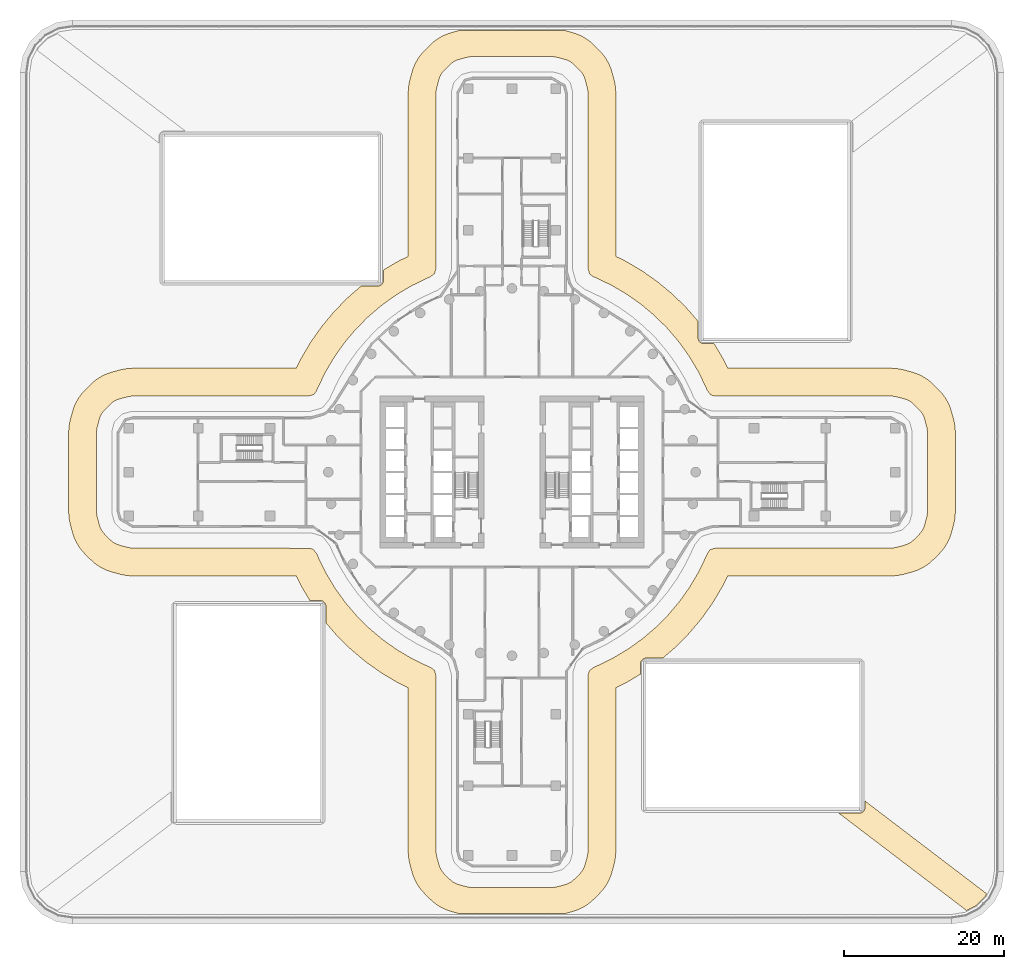
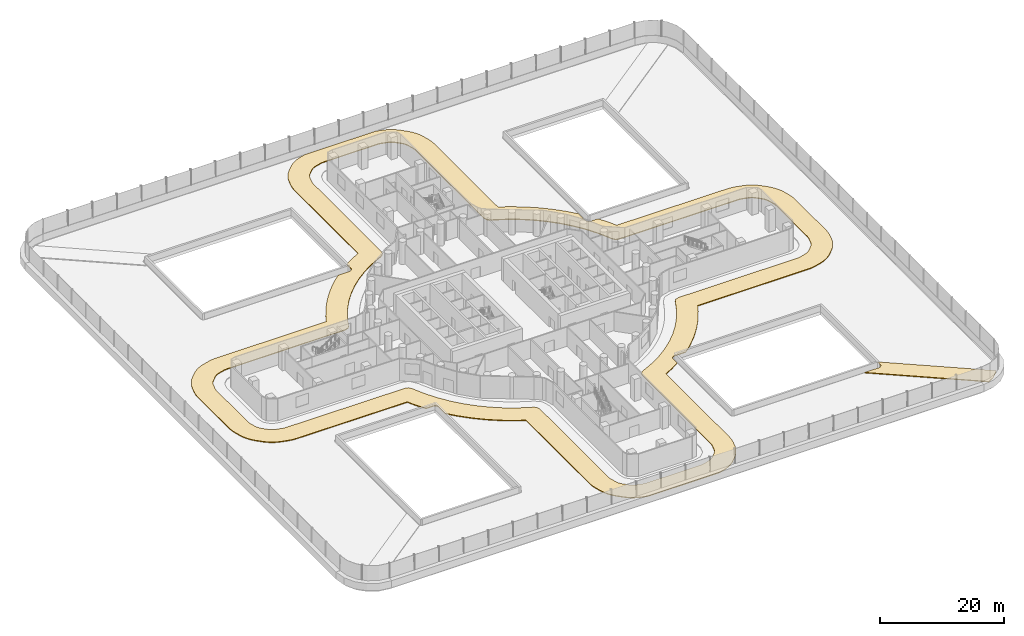
# One storey, part 33 of 37: 2 coverings.
"""IFC4 building model written with IfcOpenShell, lengths in metres."""

import ifcopenshell
import ifcopenshell.guid

model = None  # the IFC model being written
_history = None  # IfcOwnerHistory: only IFC2X3 demands one
_inside = {}  # id of a spatial element -> (the spatial element, [elements in it])
_under = {}  # id of a project, library or spatial element -> (it, [spatial elements below it])
_declared = {}  # id of a project -> (the project, [libraries it declares])
_typed = {}  # id of a type object -> (the type object, [elements of that type])
_made_of = {}  # id of a material, layer set ... -> (it, [elements and type objects made of it])


def new_model(schema):
    """Start an empty IFC model of exactly this schema.

    Asked for "IFC4X3", IfcOpenShell would pick the latest addendum, in which some entities
    have other attributes; the version numbers below select the first issue.
    IFC2X3 requires an IfcOwnerHistory on every rooted entity: one is made here for all.
    """
    global model, _history
    if schema == "IFC4X3":
        model = ifcopenshell.file(schema_version=(4, 3, 0, 0))
    else:
        model = ifcopenshell.file(schema=schema)
    _inside.clear()
    _under.clear()
    _declared.clear()
    _typed.clear()
    _made_of.clear()
    _history = None
    if model.schema == "IFC2X3":
        org = make("IfcOrganization", Name="unknown")
        user = make(
            "IfcPersonAndOrganization",
            ThePerson=make("IfcPerson", FamilyName="unknown"),
            TheOrganization=org,
        )
        app = make(
            "IfcApplication",
            ApplicationDeveloper=org,
            Version="unknown",
            ApplicationFullName="unknown",
            ApplicationIdentifier="unknown",
        )
        _history = make(
            "IfcOwnerHistory",
            OwningUser=user,
            OwningApplication=app,
            ChangeAction="ADDED",
            CreationDate=0,
        )
    return model


def make(cls, **values):
    """One entity of the class cls with the attributes given. An attribute that is None is left unset."""
    return model.create_entity(
        cls, **{name: value for name, value in values.items() if value is not None}
    )


def rooted(cls, **values):
    """An entity with a GlobalId (a new one), such as an element, a storey or a relation."""
    return make(cls, GlobalId=ifcopenshell.guid.new(), OwnerHistory=_history, **values)


def si_unit(unit_type, name, prefix=None):
    """IfcSIUnit, for example si_unit("LENGTHUNIT", "METRE", prefix="MILLI")."""
    return make("IfcSIUnit", UnitType=unit_type, Prefix=prefix, Name=name)


def assignment(units):
    """IfcUnitAssignment: the units of a project."""
    return None if units is None else make("IfcUnitAssignment", Units=units)


def point(xyz):
    """IfcCartesianPoint."""
    return None if xyz is None else make("IfcCartesianPoint", Coordinates=xyz)


def direction(xyz):
    """IfcDirection."""
    return None if xyz is None else make("IfcDirection", DirectionRatios=xyz)


def frame(location, z_axis=None, x_axis=None):
    """IfcAxis2Placement3D, a coordinate frame: its origin and axes. An axis left out is left unset."""
    return make(
        "IfcAxis2Placement3D",
        Location=point(location),
        Axis=direction(z_axis),
        RefDirection=direction(x_axis),
    )


def origin():
    """The frame at (0, 0, 0) with its axes left unset."""
    return frame((0.0, 0.0, 0.0))


def place(relative_to, where):
    """IfcLocalPlacement: puts the frame where relative to a parent placement (None: the world)."""
    return make(
        "IfcLocalPlacement", PlacementRelTo=relative_to, RelativePlacement=where
    )


def context(
    kind, dimensions, precision=None, world=None, true_north=None, identifier=None
):
    """IfcGeometricRepresentationContext, for example the 3D "Model" context."""
    return make(
        "IfcGeometricRepresentationContext",
        ContextIdentifier=identifier,
        ContextType=kind,
        CoordinateSpaceDimension=dimensions,
        Precision=precision,
        WorldCoordinateSystem=world,
        TrueNorth=true_north,
    )


def subcontext(parent, identifier, kind, view, scale=None):
    """IfcGeometricRepresentationSubContext, for example "Body" below "Model"."""
    return make(
        "IfcGeometricRepresentationSubContext",
        ContextIdentifier=identifier,
        ContextType=kind,
        ParentContext=parent,
        TargetScale=scale,
        TargetView=view,
    )


def project(units=None, contexts=None):
    """IfcProject with its units and contexts."""
    return rooted(
        "IfcProject",
        Name="project",
        RepresentationContexts=contexts,
        UnitsInContext=assignment(units),
    )


def spatial(cls, under=None, at=None, **own):
    """A site, building, storey or space (cls), placed at a placement, below another one or the project."""
    s = rooted(cls, ObjectPlacement=at, **own)
    if under is not None:
        _under.setdefault(under.id(), (under, []))[1].append(s)
    return s


def polyline(points):
    """IfcPolyline through the points."""
    return make("IfcPolyline", Points=[point(p) for p in points])


def outline(outer, holes=None, kind="AREA"):
    """IfcArbitraryClosedProfileDef: a profile drawn as a closed curve; with holes, ...WithVoids."""
    if holes is None:
        return make("IfcArbitraryClosedProfileDef", ProfileType=kind, OuterCurve=outer)
    return make(
        "IfcArbitraryProfileDefWithVoids",
        ProfileType=kind,
        OuterCurve=outer,
        InnerCurves=holes,
    )


def extrude(swept, where, along, depth):
    """IfcExtrudedAreaSolid: the profile swept, set in the frame where, extruded along a direction by depth."""
    return make(
        "IfcExtrudedAreaSolid",
        SweptArea=swept,
        Position=where,
        ExtrudedDirection=direction(along),
        Depth=depth,
    )


def shape(context_of_items, identifier, shape_type, items):
    """IfcShapeRepresentation: the items that make up one representation, for example the "Body"."""
    return make(
        "IfcShapeRepresentation",
        ContextOfItems=context_of_items,
        RepresentationIdentifier=identifier,
        RepresentationType=shape_type,
        Items=items,
    )


def material(Name=None, Category=None):
    """IfcMaterial."""
    return make("IfcMaterial", Name=Name, Category=Category)


def layer(
    of_material, thickness, ventilated=None, Name=None, Category=None, Priority=None
):
    """IfcMaterialLayer: one layer of a wall or slab, of a material (None: an air gap)."""
    return make(
        "IfcMaterialLayer",
        Material=of_material,
        LayerThickness=thickness,
        IsVentilated=ventilated,
        Name=Name,
        Category=Category,
        Priority=Priority,
    )


def layer_set(layers, Name=None):
    """IfcMaterialLayerSet."""
    return make("IfcMaterialLayerSet", MaterialLayers=layers, LayerSetName=Name)


def made_of(thing, what):
    """Note that an element or type object is made of a material, layer set ...; save() writes the relation."""
    if what is not None:
        _made_of.setdefault(what.id(), (what, []))[1].append(thing)
    return thing


def type_object(cls, material=None, **own):
    """A type object (cls), such as IfcWallType, which elements share."""
    return made_of(rooted(cls, **own), material)


def element(
    cls,
    number,
    at=None,
    inside=None,
    cuts=None,
    type_object=None,
    material=None,
    context=None,
    identifier="Body",
    shape_type=None,
    held_by="IfcProductDefinitionShape",
    body=None,
    shapes=None,
    **own,
):
    """One element of the class cls, such as IfcWall. Its Tag is "e" and its number.

    at: its placement. inside: the storey or other place that contains it. cuts: it is an
    opening in that element (IfcRelVoidsElement). A single representation is given by context,
    identifier, shape_type and body (its items); several are given by shapes. held_by: the class
    of the entity that holds the representations. save() writes the other relations.
    """
    e = rooted(cls, Tag="e%d" % number, ObjectPlacement=at, **own)
    if body is not None:
        shapes = [shape(context, identifier, shape_type, body)]
    if shapes is not None:
        e.Representation = make(held_by, Representations=shapes)
    if inside is not None:
        _inside.setdefault(inside.id(), (inside, []))[1].append(e)
    if cuts is not None:
        rooted(
            "IfcRelVoidsElement", RelatingBuildingElement=cuts, RelatedOpeningElement=e
        )
    if type_object is not None:
        _typed.setdefault(type_object.id(), (type_object, []))[1].append(e)
    return made_of(e, material)


def aggregate(whole, parts):
    """IfcRelAggregates: a whole, such as a stair, and the parts it consists of."""
    return rooted("IfcRelAggregates", RelatingObject=whole, RelatedObjects=parts)


def save(model, path):
    """Write the relations noted so far, then the file.

    IfcRelAggregates (storeys below a building ...), IfcRelContainedInSpatialStructure (elements
    in a storey), IfcRelDefinesByType, IfcRelAssociatesMaterial and IfcRelDeclares: one each for
    every whole, place, type object, material and project.
    """
    for whole, parts in _under.values():
        aggregate(whole, parts)
    for where, things in _inside.values():
        rooted(
            "IfcRelContainedInSpatialStructure",
            RelatedElements=things,
            RelatingStructure=where,
        )
    for kind, things in _typed.values():
        rooted("IfcRelDefinesByType", RelatedObjects=things, RelatingType=kind)
    for what, things in _made_of.values():
        rooted("IfcRelAssociatesMaterial", RelatedObjects=things, RelatingMaterial=what)
    for by, libraries in _declared.values():
        rooted("IfcRelDeclares", RelatingContext=by, RelatedDefinitions=libraries)
    model.write(path)


model = new_model("IFC4")

# Units and contexts
model_context = context("Model", 3, precision=1e-05, world=origin(), true_north=direction((0.0, 1.0)))
body_context = subcontext(model_context, "Body", "Model", "MODEL_VIEW")
ifc_project = project(units=[si_unit("LENGTHUNIT", "METRE"), si_unit("AREAUNIT", "SQUARE_METRE"), si_unit("VOLUMEUNIT", "CUBIC_METRE"), si_unit("PLANEANGLEUNIT", "RADIAN"), si_unit("MASSUNIT", "GRAM", prefix="KILO")], contexts=[model_context])

# Site, building, storey
site_placement = place(None, origin())
site = spatial("IfcSite", under=ifc_project, at=site_placement, CompositionType="ELEMENT")
building_placement = place(site_placement, origin())
building = spatial("IfcBuilding", under=site, at=building_placement, Name="Tamarind Cross Interchange Tower", CompositionType="ELEMENT")
storey_placement = place(building_placement, frame((0.0, 0.0, 29.5)))
storey = spatial("IfcBuildingStorey", under=building, at=storey_placement, Name="L05", CompositionType="ELEMENT", Elevation=29.5)

# Coverings
ifc_material = material(Name="Terracotta paving", Category="masonry")
ifc_layer = layer(ifc_material, 0.14990234375)
ifc_layer_set = layer_set([ifc_layer], Name="Terracotta paving")
covering_type = type_object("IfcCoveringType", Name="Roof terrace paving", PredefinedType="FLOORING", material=ifc_layer_set)
covering_1_placement = place(storey_placement, frame((0.0, 0.0, 0.14990234375)))
element("IfcCovering", 1, at=covering_1_placement, inside=storey, type_object=covering_type, Name="PAVR-L05-00", PredefinedType="FLOORING", context=body_context, shape_type="SweptSolid", body=[
    extrude(outline(polyline([(-50.060546875, -12.527587890625), (-49.060546875, -12.795654296875), (-48.55322265625, -12.908203125), (-48.038330078125, -12.9765625), (-47.519287109375, -13.0), (-26.99169921875, -13.040283203125), (-26.433349609375, -14.169921875), (-26.195556640625, -14.60498046875), (-25.2958984375, -16.10009765625), (-24.0, -16.10009765625), (-23.9951171875, -16.10009765625), (-23.936279296875, -16.10302734375), (-23.926513671875, -16.10400390625), (-23.868408203125, -16.112548828125), (-23.858642578125, -16.114501953125), (-23.801513671875, -16.12890625), (-23.7919921875, -16.131591796875), (-23.73681640625, -16.151611328125), (-23.7275390625, -16.1552734375), (-23.67431640625, -16.180419921875), (-23.665771484375, -16.18505859375), (-23.615234375, -16.21533203125), (-23.607177734375, -16.220703125), (-23.559814453125, -16.255859375), (-23.55224609375, -16.26220703125), (-23.508544921875, -16.301513671875), (-23.501708984375, -16.30859375), (-23.462158203125, -16.352294921875), (-23.455810546875, -16.35986328125), (-23.4208984375, -16.406982421875), (-23.415283203125, -16.415283203125), (-23.385009765625, -16.4658203125), (-23.38037109375, -16.474365234375), (-23.355224609375, -16.527587890625), (-23.3515625, -16.53662109375), (-23.331787109375, -16.592041015625), (-23.328857421875, -16.6015625), (-23.314453125, -16.65869140625), (-23.3125, -16.668212890625), (-23.303955078125, -16.7265625), (-23.302978515625, -16.736328125), (-23.300048828125, -16.795166015625), (-23.300048828125, -16.800048828125), (-23.300048828125, -18.874755859375), (-22.14599609375, -20.225341796875), (-21.80859375, -20.588623046875), (-20.400146484375, -21.985107421875), (-20.033935546875, -22.3193359375), (-18.514892578125, -23.594482421875), (-18.122314453125, -23.8974609375), (-16.50341796875, -25.04296875), (-16.087158203125, -25.3125), (-14.37890625, -26.3203125), (-13.94189453125, -26.554443359375), (-13.0, -27.009765625), (-13.0, -47.507568359375), (-12.977294921875, -48.030517578125), (-12.90869140625, -48.549560546875), (-12.795654296875, -49.060546875), (-12.527587890625, -50.060546875), (-12.33349609375, -50.65771484375), (-12.078125, -51.2314453125), (-11.76416015625, -51.775390625), (-11.39501953125, -52.283447265625), (-10.974609375, -52.750244140625), (-10.24267578125, -53.482421875), (-9.77587890625, -53.902587890625), (-9.267822265625, -54.271484375), (-8.723876953125, -54.585693359375), (-8.150146484375, -54.841064453125), (-7.552978515625, -55.03515625), (-6.564697265625, -55.300048828125), (6.564697265625, -55.300048828125), (7.552978515625, -55.03515625), (8.150146484375, -54.841064453125), (8.723876953125, -54.585693359375), (9.267822265625, -54.271484375), (9.77587890625, -53.902587890625), (10.24267578125, -53.482421875), (10.974609375, -52.750244140625), (11.39501953125, -52.283447265625), (11.76416015625, -51.775390625), (12.078125, -51.2314453125), (12.33349609375, -50.65771484375), (12.527587890625, -50.060546875), (12.795654296875, -49.060546875), (12.908203125, -48.55322265625), (12.9765625, -48.038330078125), (13.0, -47.519287109375), (13.040283203125, -26.99169921875), (14.169921875, -26.433349609375), (14.60498046875, -26.195556640625), (16.10009765625, -25.2958984375), (16.10009765625, -24.0), (16.10009765625, -23.9951171875), (16.10302734375, -23.936279296875), (16.10400390625, -23.926513671875), (16.112548828125, -23.868408203125), (16.114501953125, -23.858642578125), (16.12890625, -23.801513671875), (16.131591796875, -23.7919921875), (16.151611328125, -23.73681640625), (16.1552734375, -23.7275390625), (16.180419921875, -23.67431640625), (16.18505859375, -23.665771484375), (16.21533203125, -23.615234375), (16.220703125, -23.607177734375), (16.255859375, -23.559814453125), (16.26220703125, -23.55224609375), (16.301513671875, -23.508544921875), (16.30859375, -23.501708984375), (16.352294921875, -23.462158203125), (16.35986328125, -23.455810546875), (16.406982421875, -23.4208984375), (16.415283203125, -23.415283203125), (16.4658203125, -23.385009765625), (16.474365234375, -23.38037109375), (16.527587890625, -23.355224609375), (16.53662109375, -23.3515625), (16.592041015625, -23.331787109375), (16.6015625, -23.328857421875), (16.65869140625, -23.314453125), (16.668212890625, -23.3125), (16.7265625, -23.303955078125), (16.736328125, -23.302978515625), (16.795166015625, -23.300048828125), (16.800048828125, -23.300048828125), (18.874755859375, -23.300048828125), (20.225341796875, -22.14599609375), (20.588623046875, -21.80859375), (21.985107421875, -20.400146484375), (22.3193359375, -20.033935546875), (23.594482421875, -18.514892578125), (23.8974609375, -18.122314453125), (25.04296875, -16.50341796875), (25.3125, -16.087158203125), (26.3203125, -14.37890625), (26.554443359375, -13.94189453125), (27.009765625, -13.0), (47.507568359375, -13.0), (48.030517578125, -12.977294921875), (48.549560546875, -12.90869140625), (49.060546875, -12.795654296875), (50.060546875, -12.527587890625), (50.65771484375, -12.33349609375), (51.2314453125, -12.078125), (51.775390625, -11.76416015625), (52.283447265625, -11.39501953125), (52.750244140625, -10.974609375), (53.482421875, -10.24267578125), (53.902587890625, -9.77587890625), (54.271484375, -9.267822265625), (54.585693359375, -8.723876953125), (54.841064453125, -8.150146484375), (55.03515625, -7.552978515625), (55.302978515625, -6.552978515625), (55.41650390625, -6.0419921875), (55.484619140625, -5.52294921875), (55.507568359375, -5.0), (55.507568359375, 5.0), (55.484619140625, 5.52294921875), (55.41650390625, 6.0419921875), (55.302978515625, 6.552978515625), (55.03515625, 7.552978515625), (54.841064453125, 8.150146484375), (54.585693359375, 8.723876953125), (54.271484375, 9.267822265625), (53.902587890625, 9.77587890625), (53.482421875, 10.24267578125), (52.750244140625, 10.974609375), (52.283447265625, 11.39501953125), (51.775390625, 11.76416015625), (51.2314453125, 12.078125), (50.65771484375, 12.33349609375), (50.060546875, 12.527587890625), (49.060546875, 12.795654296875), (48.55322265625, 12.908203125), (48.038330078125, 12.9765625), (47.519287109375, 13.0), (26.99169921875, 13.040283203125), (26.433349609375, 14.169921875), (26.195556640625, 14.60498046875), (25.2958984375, 16.10009765625), (24.0, 16.10009765625), (23.9951171875, 16.10009765625), (23.936279296875, 16.10302734375), (23.926513671875, 16.10400390625), (23.868408203125, 16.112548828125), (23.858642578125, 16.114501953125), (23.801513671875, 16.12890625), (23.7919921875, 16.131591796875), (23.73681640625, 16.151611328125), (23.7275390625, 16.1552734375), (23.67431640625, 16.180419921875), (23.665771484375, 16.18505859375), (23.615234375, 16.21533203125), (23.607177734375, 16.220703125), (23.559814453125, 16.255859375), (23.55224609375, 16.26220703125), (23.508544921875, 16.301513671875), (23.501708984375, 16.30859375), (23.462158203125, 16.352294921875), (23.455810546875, 16.35986328125), (23.4208984375, 16.406982421875), (23.415283203125, 16.415283203125), (23.385009765625, 16.4658203125), (23.38037109375, 16.474365234375), (23.355224609375, 16.527587890625), (23.3515625, 16.53662109375), (23.331787109375, 16.592041015625), (23.328857421875, 16.6015625), (23.314453125, 16.65869140625), (23.3125, 16.668212890625), (23.303955078125, 16.7265625), (23.302978515625, 16.736328125), (23.300048828125, 16.795166015625), (23.300048828125, 16.800048828125), (23.300048828125, 18.874755859375), (22.14599609375, 20.225341796875), (21.80859375, 20.588623046875), (20.400146484375, 21.985107421875), (20.033935546875, 22.3193359375), (18.514892578125, 23.594482421875), (18.122314453125, 23.8974609375), (16.50341796875, 25.04296875), (16.087158203125, 25.3125), (14.37890625, 26.3203125), (13.94189453125, 26.554443359375), (13.0, 27.009765625), (13.0, 47.507568359375), (12.977294921875, 48.030517578125), (12.90869140625, 48.549560546875), (12.795654296875, 49.060546875), (12.527587890625, 50.060546875), (12.33349609375, 50.65771484375), (12.078125, 51.2314453125), (11.76416015625, 51.775390625), (11.39501953125, 52.283447265625), (10.974609375, 52.750244140625), (10.24267578125, 53.482421875), (9.77587890625, 53.902587890625), (9.267822265625, 54.271484375), (8.723876953125, 54.585693359375), (8.150146484375, 54.841064453125), (7.552978515625, 55.03515625), (6.564697265625, 55.300048828125), (-6.564697265625, 55.300048828125), (-7.552978515625, 55.03515625), (-8.150146484375, 54.841064453125), (-8.723876953125, 54.585693359375), (-9.267822265625, 54.271484375), (-9.77587890625, 53.902587890625), (-10.24267578125, 53.482421875), (-10.974609375, 52.750244140625), (-11.39501953125, 52.283447265625), (-11.76416015625, 51.775390625), (-12.078125, 51.2314453125), (-12.33349609375, 50.65771484375), (-12.527587890625, 50.060546875), (-12.795654296875, 49.060546875), (-12.90869140625, 48.549560546875), (-12.977294921875, 48.030517578125), (-13.0, 47.507568359375), (-13.0, 27.01171875), (-14.169921875, 26.433349609375), (-14.60498046875, 26.195556640625), (-16.10009765625, 25.2958984375), (-16.10009765625, 24.0), (-16.10009765625, 23.9951171875), (-16.10302734375, 23.936279296875), (-16.10400390625, 23.926513671875), (-16.112548828125, 23.868408203125), (-16.114501953125, 23.858642578125), (-16.12890625, 23.801513671875), (-16.131591796875, 23.7919921875), (-16.151611328125, 23.73681640625), (-16.1552734375, 23.7275390625), (-16.180419921875, 23.67431640625), (-16.18505859375, 23.665771484375), (-16.21533203125, 23.615234375), (-16.220703125, 23.607177734375), (-16.255859375, 23.559814453125), (-16.26220703125, 23.55224609375), (-16.301513671875, 23.508544921875), (-16.30859375, 23.501708984375), (-16.352294921875, 23.462158203125), (-16.35986328125, 23.455810546875), (-16.406982421875, 23.4208984375), (-16.415283203125, 23.415283203125), (-16.4658203125, 23.385009765625), (-16.474365234375, 23.38037109375), (-16.527587890625, 23.355224609375), (-16.53662109375, 23.3515625), (-16.592041015625, 23.331787109375), (-16.6015625, 23.328857421875), (-16.65869140625, 23.314453125), (-16.668212890625, 23.3125), (-16.7265625, 23.303955078125), (-16.736328125, 23.302978515625), (-16.795166015625, 23.300048828125), (-16.800048828125, 23.300048828125), (-18.874755859375, 23.300048828125), (-20.225341796875, 22.14599609375), (-20.588623046875, 21.80859375), (-21.985107421875, 20.400146484375), (-22.3193359375, 20.033935546875), (-23.594482421875, 18.514892578125), (-23.8974609375, 18.122314453125), (-25.04296875, 16.50341796875), (-25.3125, 16.087158203125), (-26.3203125, 14.37890625), (-26.554443359375, 13.94189453125), (-27.009765625, 13.0), (-47.507568359375, 13.0), (-48.030517578125, 12.977294921875), (-48.549560546875, 12.90869140625), (-49.060546875, 12.795654296875), (-50.060546875, 12.527587890625), (-50.65771484375, 12.33349609375), (-51.2314453125, 12.078125), (-51.775390625, 11.76416015625), (-52.283447265625, 11.39501953125), (-52.750244140625, 10.974609375), (-53.482421875, 10.24267578125), (-53.902587890625, 9.77587890625), (-54.271484375, 9.267822265625), (-54.585693359375, 8.723876953125), (-54.841064453125, 8.150146484375), (-55.03515625, 7.552978515625), (-55.302978515625, 6.552978515625), (-55.41650390625, 6.0419921875), (-55.484619140625, 5.52294921875), (-55.507568359375, 5.0), (-55.507568359375, -5.0), (-55.484619140625, -5.52294921875), (-55.41650390625, -6.0419921875), (-55.302978515625, -6.552978515625), (-55.03515625, -7.552978515625), (-54.841064453125, -8.150146484375), (-54.585693359375, -8.723876953125), (-54.271484375, -9.267822265625), (-53.902587890625, -9.77587890625), (-53.482421875, -10.24267578125), (-52.750244140625, -10.974609375), (-52.283447265625, -11.39501953125), (-51.775390625, -11.76416015625), (-51.2314453125, -12.078125), (-50.65771484375, -12.33349609375), (-50.060546875, -12.527587890625)]), holes=[polyline([(-23.196533203125, -12.800537109375), (-23.295654296875, -12.619140625), (-24.17431640625, -10.84130859375), (-24.25146484375, -10.669189453125), (-24.405029296875, -10.288818359375), (-24.864990234375, -9.676513671875), (-25.295166015625, -9.543701171875), (-47.512451171875, -9.5), (-47.728759765625, -9.490234375), (-47.943359375, -9.461669921875), (-48.154541015625, -9.414794921875), (-49.154541015625, -9.14697265625), (-49.403564453125, -9.06591796875), (-49.642578125, -8.959716796875), (-49.869140625, -8.82861328125), (-50.080810546875, -8.6748046875), (-50.275390625, -8.499755859375), (-51.00732421875, -7.767822265625), (-51.1826171875, -7.5732421875), (-51.336181640625, -7.361572265625), (-51.467041015625, -7.135009765625), (-51.573486328125, -6.89599609375), (-51.654296875, -6.64697265625), (-51.92236328125, -5.64697265625), (-51.969482421875, -5.43408203125), (-51.998046875, -5.218017578125), (-52.007568359375, -5.0), (-52.007568359375, 5.0), (-51.998046875, 5.218017578125), (-51.969482421875, 5.43408203125), (-51.92236328125, 5.64697265625), (-51.654296875, 6.64697265625), (-51.573486328125, 6.89599609375), (-51.467041015625, 7.135009765625), (-51.336181640625, 7.361572265625), (-51.1826171875, 7.5732421875), (-51.00732421875, 7.767822265625), (-50.275390625, 8.499755859375), (-50.080810546875, 8.6748046875), (-49.869140625, 8.82861328125), (-49.642578125, 8.959716796875), (-49.403564453125, 9.06591796875), (-49.154541015625, 9.14697265625), (-48.154541015625, 9.414794921875), (-47.941650390625, 9.4619140625), (-47.7255859375, 9.490478515625), (-47.507568359375, 9.5), (-25.55126953125, 9.5), (-24.82763671875, 9.701904296875), (-24.506591796875, 10.10595703125), (-24.29296875, 10.576904296875), (-24.266845703125, 10.6328125), (-23.4033203125, 12.418212890625), (-23.305908203125, 12.600341796875), (-22.298095703125, 14.308349609375), (-22.185791015625, 14.48193359375), (-21.040283203125, 16.100830078125), (-20.9140625, 16.264404296875), (-19.638916015625, 17.783447265625), (-19.49951171875, 17.93603515625), (-18.103271484375, 19.344482421875), (-17.951904296875, 19.485107421875), (-16.44384765625, 20.773193359375), (-16.281494140625, 20.90087890625), (-14.67236328125, 22.060302734375), (-14.499755859375, 22.174072265625), (-12.800537109375, 23.196533203125), (-12.619140625, 23.295654296875), (-10.84130859375, 24.17431640625), (-10.669189453125, 24.25146484375), (-10.288818359375, 24.405029296875), (-9.695556640625, 24.8505859375), (-9.5, 25.55126953125), (-9.5, 47.507568359375), (-9.490478515625, 47.7255859375), (-9.4619140625, 47.941650390625), (-9.414794921875, 48.154541015625), (-9.14697265625, 49.154541015625), (-9.06591796875, 49.403564453125), (-8.959716796875, 49.642578125), (-8.82861328125, 49.869140625), (-8.6748046875, 50.080810546875), (-8.499755859375, 50.275390625), (-7.767822265625, 51.00732421875), (-7.5732421875, 51.1826171875), (-7.361572265625, 51.336181640625), (-7.135009765625, 51.467041015625), (-6.89599609375, 51.573486328125), (-6.64697265625, 51.654296875), (-5.64697265625, 51.92236328125), (-5.43408203125, 51.969482421875), (-5.218017578125, 51.998046875), (-5.0, 52.007568359375), (5.0, 52.007568359375), (5.218017578125, 51.998046875), (5.43408203125, 51.969482421875), (5.64697265625, 51.92236328125), (6.64697265625, 51.654296875), (6.89599609375, 51.573486328125), (7.135009765625, 51.467041015625), (7.361572265625, 51.336181640625), (7.5732421875, 51.1826171875), (7.767822265625, 51.00732421875), (8.499755859375, 50.275390625), (8.6748046875, 50.080810546875), (8.82861328125, 49.869140625), (8.959716796875, 49.642578125), (9.06591796875, 49.403564453125), (9.14697265625, 49.154541015625), (9.414794921875, 48.154541015625), (9.4619140625, 47.941650390625), (9.490478515625, 47.7255859375), (9.5, 47.507568359375), (9.5, 25.55126953125), (9.701904296875, 24.82763671875), (10.10595703125, 24.506591796875), (10.576904296875, 24.29296875), (10.6328125, 24.266845703125), (12.418212890625, 23.4033203125), (12.600341796875, 23.305908203125), (14.308349609375, 22.298095703125), (14.48193359375, 22.185791015625), (16.100830078125, 21.040283203125), (16.264404296875, 20.9140625), (17.783447265625, 19.638916015625), (17.93603515625, 19.49951171875), (19.344482421875, 18.103271484375), (19.485107421875, 17.951904296875), (20.773193359375, 16.44384765625), (20.90087890625, 16.281494140625), (22.060302734375, 14.67236328125), (22.174072265625, 14.499755859375), (23.196533203125, 12.800537109375), (23.295654296875, 12.619140625), (24.17431640625, 10.84130859375), (24.25146484375, 10.669189453125), (24.405029296875, 10.288818359375), (24.864990234375, 9.676513671875), (25.295166015625, 9.543701171875), (47.512451171875, 9.5), (47.728759765625, 9.490234375), (47.943359375, 9.461669921875), (48.154541015625, 9.414794921875), (49.154541015625, 9.14697265625), (49.403564453125, 9.06591796875), (49.642578125, 8.959716796875), (49.869140625, 8.82861328125), (50.080810546875, 8.6748046875), (50.275390625, 8.499755859375), (51.00732421875, 7.767822265625), (51.1826171875, 7.5732421875), (51.336181640625, 7.361572265625), (51.467041015625, 7.135009765625), (51.573486328125, 6.89599609375), (51.654296875, 6.64697265625), (51.92236328125, 5.64697265625), (51.969482421875, 5.43408203125), (51.998046875, 5.218017578125), (52.007568359375, 5.0), (52.007568359375, -5.0), (51.998046875, -5.218017578125), (51.969482421875, -5.43408203125), (51.92236328125, -5.64697265625), (51.654296875, -6.64697265625), (51.573486328125, -6.89599609375), (51.467041015625, -7.135009765625), (51.336181640625, -7.361572265625), (51.1826171875, -7.5732421875), (51.00732421875, -7.767822265625), (50.275390625, -8.499755859375), (50.080810546875, -8.6748046875), (49.869140625, -8.82861328125), (49.642578125, -8.959716796875), (49.403564453125, -9.06591796875), (49.154541015625, -9.14697265625), (48.154541015625, -9.414794921875), (47.941650390625, -9.4619140625), (47.7255859375, -9.490478515625), (47.507568359375, -9.5), (25.55126953125, -9.5), (24.82763671875, -9.701904296875), (24.506591796875, -10.10595703125), (24.29296875, -10.576904296875), (24.266845703125, -10.6328125), (23.4033203125, -12.418212890625), (23.305908203125, -12.600341796875), (22.298095703125, -14.308349609375), (22.185791015625, -14.48193359375), (21.040283203125, -16.100830078125), (20.9140625, -16.264404296875), (19.638916015625, -17.783447265625), (19.49951171875, -17.93603515625), (18.103271484375, -19.344482421875), (17.951904296875, -19.485107421875), (16.44384765625, -20.773193359375), (16.281494140625, -20.90087890625), (14.67236328125, -22.060302734375), (14.499755859375, -22.174072265625), (12.800537109375, -23.196533203125), (12.619140625, -23.295654296875), (10.84130859375, -24.17431640625), (10.669189453125, -24.25146484375), (10.288818359375, -24.405029296875), (9.676513671875, -24.864990234375), (9.543701171875, -25.295166015625), (9.5, -47.512451171875), (9.490234375, -47.728759765625), (9.461669921875, -47.943359375), (9.414794921875, -48.154541015625), (9.14697265625, -49.154541015625), (9.06591796875, -49.403564453125), (8.959716796875, -49.642578125), (8.82861328125, -49.869140625), (8.6748046875, -50.080810546875), (8.499755859375, -50.275390625), (7.767822265625, -51.00732421875), (7.5732421875, -51.1826171875), (7.361572265625, -51.336181640625), (7.135009765625, -51.467041015625), (6.89599609375, -51.573486328125), (6.64697265625, -51.654296875), (5.64697265625, -51.92236328125), (5.43408203125, -51.969482421875), (5.218017578125, -51.998046875), (5.0, -52.007568359375), (-5.0, -52.007568359375), (-5.218017578125, -51.998046875), (-5.43408203125, -51.969482421875), (-5.64697265625, -51.92236328125), (-6.64697265625, -51.654296875), (-6.89599609375, -51.573486328125), (-7.135009765625, -51.467041015625), (-7.361572265625, -51.336181640625), (-7.5732421875, -51.1826171875), (-7.767822265625, -51.00732421875), (-8.499755859375, -50.275390625), (-8.6748046875, -50.080810546875), (-8.82861328125, -49.869140625), (-8.959716796875, -49.642578125), (-9.06591796875, -49.403564453125), (-9.14697265625, -49.154541015625), (-9.414794921875, -48.154541015625), (-9.4619140625, -47.941650390625), (-9.490478515625, -47.7255859375), (-9.5, -47.507568359375), (-9.5, -25.55126953125), (-9.701904296875, -24.82763671875), (-10.10595703125, -24.506591796875), (-10.576904296875, -24.29296875), (-10.6328125, -24.266845703125), (-12.418212890625, -23.4033203125), (-12.600341796875, -23.305908203125), (-14.308349609375, -22.298095703125), (-14.48193359375, -22.185791015625), (-16.100830078125, -21.040283203125), (-16.264404296875, -20.9140625), (-17.783447265625, -19.638916015625), (-17.93603515625, -19.49951171875), (-19.344482421875, -18.103271484375), (-19.485107421875, -17.951904296875), (-20.773193359375, -16.44384765625), (-20.90087890625, -16.281494140625), (-22.060302734375, -14.67236328125), (-22.174072265625, -14.499755859375), (-23.196533203125, -12.800537109375)])]), origin(), (0.0, 0.0, 1.0), 0.150146484375),
])
covering_2_placement = place(storey_placement, frame((0.0, 0.0, 0.14990234375)))
element("IfcCovering", 2, at=covering_2_placement, inside=storey, type_object=covering_type, Name="PAVR-L05-03", PredefinedType="FLOORING", context=body_context, shape_type="SweptSolid", body=[
    extrude(outline(polyline([(59.28076171875, -53.110107421875), (59.439208984375, -52.79931640625), (44.199951171875, -41.1884765625), (44.199951171875, -42.0), (44.199951171875, -42.0048828125), (44.197021484375, -42.063720703125), (44.196044921875, -42.073486328125), (44.1875, -42.131591796875), (44.185546875, -42.141357421875), (44.171142578125, -42.198486328125), (44.168212890625, -42.2080078125), (44.1484375, -42.26318359375), (44.144775390625, -42.2724609375), (44.11962890625, -42.32568359375), (44.114990234375, -42.334228515625), (44.084716796875, -42.384765625), (44.0791015625, -42.392822265625), (44.044189453125, -42.440185546875), (44.037841796875, -42.44775390625), (43.998291015625, -42.491455078125), (43.991455078125, -42.498291015625), (43.94775390625, -42.537841796875), (43.940185546875, -42.544189453125), (43.892822265625, -42.5791015625), (43.884765625, -42.584716796875), (43.834228515625, -42.614990234375), (43.82568359375, -42.61962890625), (43.7724609375, -42.644775390625), (43.76318359375, -42.6484375), (43.7080078125, -42.668212890625), (43.698486328125, -42.671142578125), (43.641357421875, -42.685546875), (43.631591796875, -42.6875), (43.573486328125, -42.696044921875), (43.563720703125, -42.697021484375), (43.5048828125, -42.699951171875), (43.5, -42.699951171875), (40.90380859375, -42.699951171875), (56.90771484375, -54.893310546875), (58.110107421875, -54.28076171875), (59.28076171875, -53.110107421875)])), origin(), (0.0, 0.0, 1.0), 0.150146484375),
])

save(model, "model.ifc")
